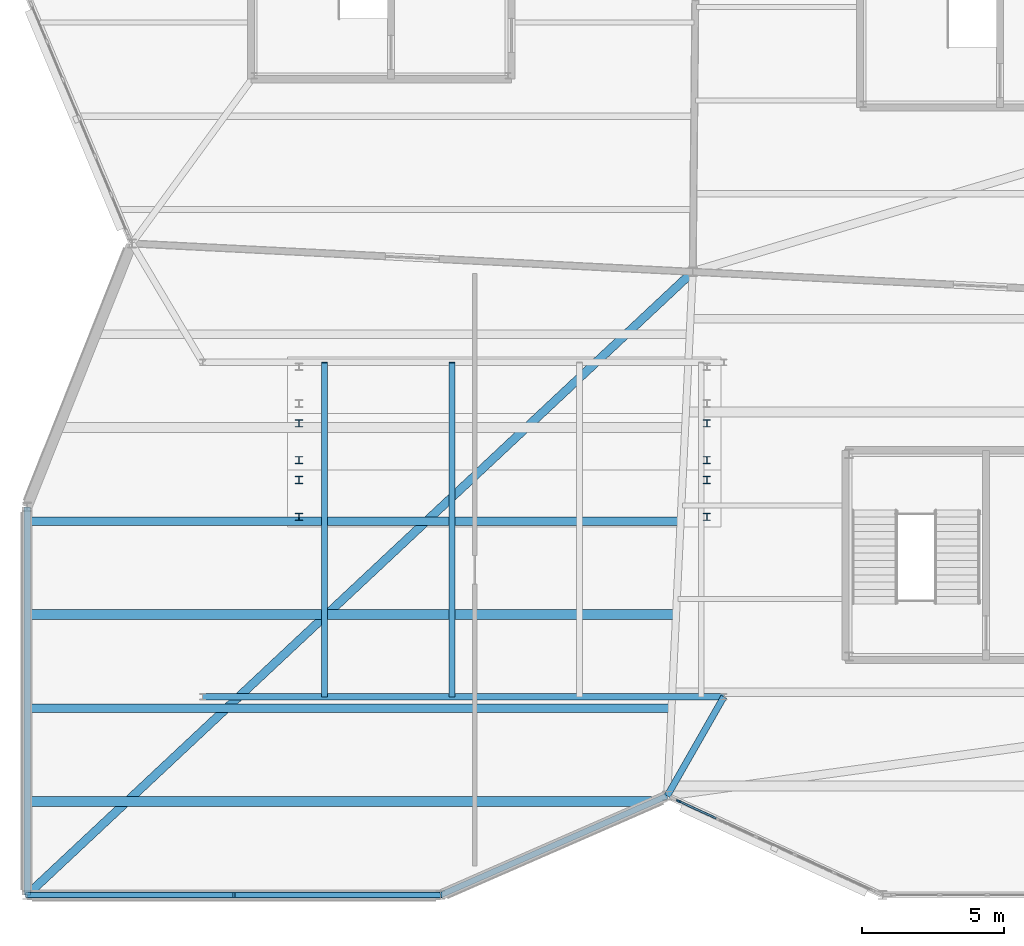
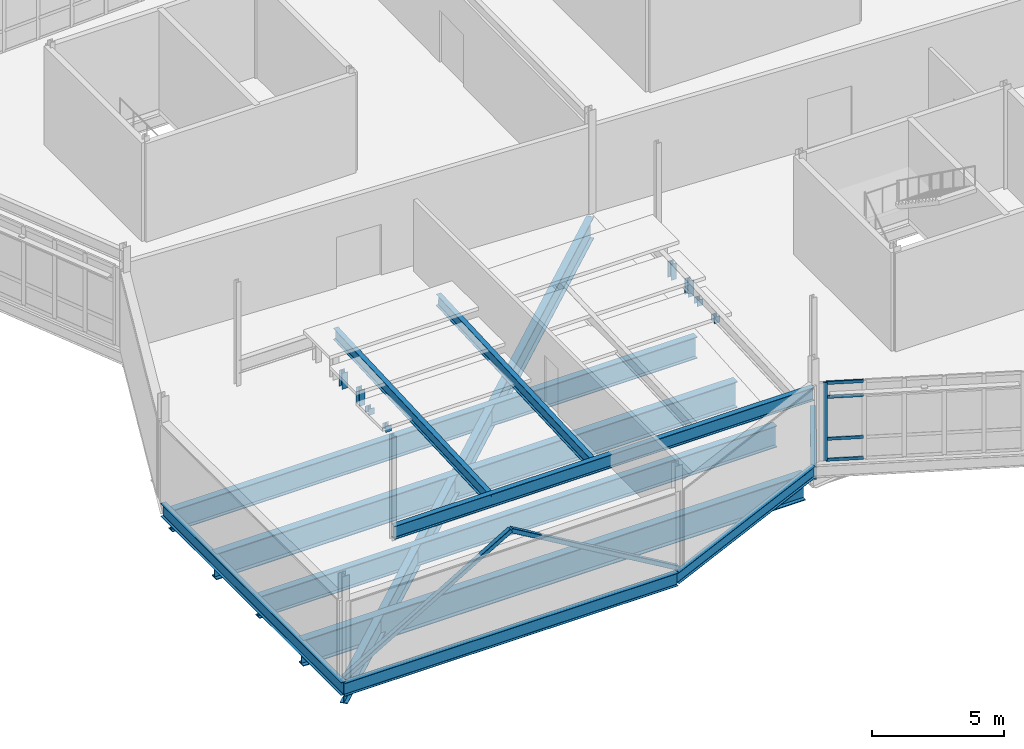
# One storey, part 24 of 134: 12 beams, 8 columns, 7 members, 1 element without a shape of its own.
"""IFC4 building model written with IfcOpenShell, lengths in metres."""

import ifcopenshell
import ifcopenshell.guid

model = None  # the IFC model being written
_history = None  # IfcOwnerHistory: only IFC2X3 demands one
_inside = {}  # id of a spatial element -> (the spatial element, [elements in it])
_under = {}  # id of a project, library or spatial element -> (it, [spatial elements below it])
_declared = {}  # id of a project -> (the project, [libraries it declares])
_typed = {}  # id of a type object -> (the type object, [elements of that type])
_made_of = {}  # id of a material, layer set ... -> (it, [elements and type objects made of it])


def new_model(schema):
    """Start an empty IFC model of exactly this schema.

    Asked for "IFC4X3", IfcOpenShell would pick the latest addendum, in which some entities
    have other attributes; the version numbers below select the first issue.
    IFC2X3 requires an IfcOwnerHistory on every rooted entity: one is made here for all.
    """
    global model, _history
    if schema == "IFC4X3":
        model = ifcopenshell.file(schema_version=(4, 3, 0, 0))
    else:
        model = ifcopenshell.file(schema=schema)
    _inside.clear()
    _under.clear()
    _declared.clear()
    _typed.clear()
    _made_of.clear()
    _history = None
    if model.schema == "IFC2X3":
        org = make("IfcOrganization", Name="unknown")
        user = make(
            "IfcPersonAndOrganization",
            ThePerson=make("IfcPerson", FamilyName="unknown"),
            TheOrganization=org,
        )
        app = make(
            "IfcApplication",
            ApplicationDeveloper=org,
            Version="unknown",
            ApplicationFullName="unknown",
            ApplicationIdentifier="unknown",
        )
        _history = make(
            "IfcOwnerHistory",
            OwningUser=user,
            OwningApplication=app,
            ChangeAction="ADDED",
            CreationDate=0,
        )
    return model


def make(cls, **values):
    """One entity of the class cls with the attributes given. An attribute that is None is left unset."""
    return model.create_entity(
        cls, **{name: value for name, value in values.items() if value is not None}
    )


def rooted(cls, **values):
    """An entity with a GlobalId (a new one), such as an element, a storey or a relation."""
    return make(cls, GlobalId=ifcopenshell.guid.new(), OwnerHistory=_history, **values)


def si_unit(unit_type, name, prefix=None):
    """IfcSIUnit, for example si_unit("LENGTHUNIT", "METRE", prefix="MILLI")."""
    return make("IfcSIUnit", UnitType=unit_type, Prefix=prefix, Name=name)


def assignment(units):
    """IfcUnitAssignment: the units of a project."""
    return None if units is None else make("IfcUnitAssignment", Units=units)


def point(xyz):
    """IfcCartesianPoint."""
    return None if xyz is None else make("IfcCartesianPoint", Coordinates=xyz)


def direction(xyz):
    """IfcDirection."""
    return None if xyz is None else make("IfcDirection", DirectionRatios=xyz)


def frame(location, z_axis=None, x_axis=None):
    """IfcAxis2Placement3D, a coordinate frame: its origin and axes. An axis left out is left unset."""
    return make(
        "IfcAxis2Placement3D",
        Location=point(location),
        Axis=direction(z_axis),
        RefDirection=direction(x_axis),
    )


def frame_2d(location, x_axis=None):
    """IfcAxis2Placement2D, a coordinate frame in the plane: its origin and x axis."""
    return make(
        "IfcAxis2Placement2D", Location=point(location), RefDirection=direction(x_axis)
    )


def origin():
    """The frame at (0, 0, 0) with its axes left unset."""
    return frame((0.0, 0.0, 0.0))


def origin_2d():
    """The frame at (0, 0) in the plane with its x axis left unset."""
    return frame_2d((0.0, 0.0))


def place(relative_to, where):
    """IfcLocalPlacement: puts the frame where relative to a parent placement (None: the world)."""
    return make(
        "IfcLocalPlacement", PlacementRelTo=relative_to, RelativePlacement=where
    )


def context(
    kind, dimensions, precision=None, world=None, true_north=None, identifier=None
):
    """IfcGeometricRepresentationContext, for example the 3D "Model" context."""
    return make(
        "IfcGeometricRepresentationContext",
        ContextIdentifier=identifier,
        ContextType=kind,
        CoordinateSpaceDimension=dimensions,
        Precision=precision,
        WorldCoordinateSystem=world,
        TrueNorth=true_north,
    )


def subcontext(parent, identifier, kind, view, scale=None):
    """IfcGeometricRepresentationSubContext, for example "Body" below "Model"."""
    return make(
        "IfcGeometricRepresentationSubContext",
        ContextIdentifier=identifier,
        ContextType=kind,
        ParentContext=parent,
        TargetScale=scale,
        TargetView=view,
    )


def project(units=None, contexts=None):
    """IfcProject with its units and contexts."""
    return rooted(
        "IfcProject",
        Name="project",
        RepresentationContexts=contexts,
        UnitsInContext=assignment(units),
    )


def spatial(cls, under=None, at=None, **own):
    """A site, building, storey or space (cls), placed at a placement, below another one or the project."""
    s = rooted(cls, ObjectPlacement=at, **own)
    if under is not None:
        _under.setdefault(under.id(), (under, []))[1].append(s)
    return s


def profile(cls, at=None, kind="AREA", **sizes):
    """A parametric profile (cls). Its sizes go by their IFC names, for example OverallWidth=200.0."""
    return make(cls, ProfileType=kind, Position=at, **sizes)


def rectangle(**sizes):
    """IfcRectangleProfileDef."""
    return profile("IfcRectangleProfileDef", **sizes)


def hollow_rectangle(**sizes):
    """IfcRectangleHollowProfileDef."""
    return profile("IfcRectangleHollowProfileDef", **sizes)


def i_section(**sizes):
    """IfcIShapeProfileDef."""
    return profile("IfcIShapeProfileDef", **sizes)


def extrude(swept, where, along, depth):
    """IfcExtrudedAreaSolid: the profile swept, set in the frame where, extruded along a direction by depth."""
    return make(
        "IfcExtrudedAreaSolid",
        SweptArea=swept,
        Position=where,
        ExtrudedDirection=direction(along),
        Depth=depth,
    )


def shape(context_of_items, identifier, shape_type, items):
    """IfcShapeRepresentation: the items that make up one representation, for example the "Body"."""
    return make(
        "IfcShapeRepresentation",
        ContextOfItems=context_of_items,
        RepresentationIdentifier=identifier,
        RepresentationType=shape_type,
        Items=items,
    )


def material(Name=None, Category=None):
    """IfcMaterial."""
    return make("IfcMaterial", Name=Name, Category=Category)


def material_profile(
    of_material, cross_section, Name=None, Category=None, Priority=None
):
    """IfcMaterialProfile: a cross section and its material."""
    return make(
        "IfcMaterialProfile",
        Name=Name,
        Material=of_material,
        Profile=cross_section,
        Priority=Priority,
        Category=Category,
    )


def profile_set(profiles, Name=None, composite=None):
    """IfcMaterialProfileSet."""
    return make(
        "IfcMaterialProfileSet",
        Name=Name,
        MaterialProfiles=profiles,
        CompositeProfile=composite,
    )


def made_of(thing, what):
    """Note that an element or type object is made of a material, layer set ...; save() writes the relation."""
    if what is not None:
        _made_of.setdefault(what.id(), (what, []))[1].append(thing)
    return thing


def type_object(cls, material=None, **own):
    """A type object (cls), such as IfcWallType, which elements share."""
    return made_of(rooted(cls, **own), material)


def element(
    cls,
    number,
    at=None,
    inside=None,
    cuts=None,
    type_object=None,
    material=None,
    context=None,
    identifier="Body",
    shape_type=None,
    held_by="IfcProductDefinitionShape",
    body=None,
    shapes=None,
    **own,
):
    """One element of the class cls, such as IfcWall. Its Tag is "e" and its number.

    at: its placement. inside: the storey or other place that contains it. cuts: it is an
    opening in that element (IfcRelVoidsElement). A single representation is given by context,
    identifier, shape_type and body (its items); several are given by shapes. held_by: the class
    of the entity that holds the representations. save() writes the other relations.
    """
    e = rooted(cls, Tag="e%d" % number, ObjectPlacement=at, **own)
    if body is not None:
        shapes = [shape(context, identifier, shape_type, body)]
    if shapes is not None:
        e.Representation = make(held_by, Representations=shapes)
    if inside is not None:
        _inside.setdefault(inside.id(), (inside, []))[1].append(e)
    if cuts is not None:
        rooted(
            "IfcRelVoidsElement", RelatingBuildingElement=cuts, RelatedOpeningElement=e
        )
    if type_object is not None:
        _typed.setdefault(type_object.id(), (type_object, []))[1].append(e)
    return made_of(e, material)


def aggregate(whole, parts):
    """IfcRelAggregates: a whole, such as a stair, and the parts it consists of."""
    return rooted("IfcRelAggregates", RelatingObject=whole, RelatedObjects=parts)


def save(model, path):
    """Write the relations noted so far, then the file.

    IfcRelAggregates (storeys below a building ...), IfcRelContainedInSpatialStructure (elements
    in a storey), IfcRelDefinesByType, IfcRelAssociatesMaterial and IfcRelDeclares: one each for
    every whole, place, type object, material and project.
    """
    for whole, parts in _under.values():
        aggregate(whole, parts)
    for where, things in _inside.values():
        rooted(
            "IfcRelContainedInSpatialStructure",
            RelatedElements=things,
            RelatingStructure=where,
        )
    for kind, things in _typed.values():
        rooted("IfcRelDefinesByType", RelatedObjects=things, RelatingType=kind)
    for what, things in _made_of.values():
        rooted("IfcRelAssociatesMaterial", RelatedObjects=things, RelatingMaterial=what)
    for by, libraries in _declared.values():
        rooted("IfcRelDeclares", RelatingContext=by, RelatedDefinitions=libraries)
    model.write(path)


model = new_model("IFC4")

# Units and contexts
model_context = context("Model", 3, precision=1e-05, world=origin(), true_north=direction((0.0, 1.0)))
body_context = subcontext(model_context, "Body", "Model", "MODEL_VIEW")
ifc_project = project(units=[si_unit("LENGTHUNIT", "METRE"), si_unit("AREAUNIT", "SQUARE_METRE"), si_unit("VOLUMEUNIT", "CUBIC_METRE"), si_unit("PLANEANGLEUNIT", "RADIAN"), si_unit("MASSUNIT", "GRAM", prefix="KILO")], contexts=[model_context])

# Site, building, storey
site_placement = place(None, origin())
site = spatial("IfcSite", under=ifc_project, at=site_placement, CompositionType="ELEMENT")
building_placement = place(site_placement, origin())
building = spatial("IfcBuilding", under=site, at=building_placement, Name="Tameran Prism Museum", CompositionType="ELEMENT")
storey_placement = place(building_placement, frame((0.0, 0.0, 5.39990234375)))
storey = spatial("IfcBuildingStorey", under=building, at=storey_placement, Name="L01", CompositionType="ELEMENT", Elevation=5.39990234375)

# Columns
ifc_material_1 = material(Name="Steel Grade 300PLUS (300 MPa)", Category="steel")
ifc_material_profile_1 = material_profile(ifc_material_1, i_section(OverallWidth=0.25390625, OverallDepth=0.25390625, WebThickness=0.008544921875, FlangeThickness=0.01416015625, FilletRadius=0.0126953125, at=origin_2d()))
ifc_profile_set_1 = profile_set([ifc_material_profile_1])
column_type = type_object("IfcColumnType", Name="COL-UC250B", PredefinedType="COLUMN", material=ifc_profile_set_1)
for number, where, z_axis, x_axis, name in (
    (1, (9.60009765625, 13.35009765625, 0.0), (0.0, 0.0, 1.0), (1.0, 0.0, 0.0), "Balcony Tier Riser Column CAB-L1-25"),
    (2, (9.60009765625, 14.64990234375, 0.0), (0.0, 0.0, 1.0), (1.0, 0.0, 0.0), "Balcony Tier Riser Column CAB-L1-26"),
    (3, (24.0, 13.35009765625, 0.0), (0.0, 0.0, 1.0), (1.0, 0.0, 0.0), "Balcony Tier Riser Column CAB-L1-27"),
    (4, (24.0, 14.64990234375, 0.0), (0.0, 0.0, 1.0), (1.0, 0.0, 0.0), "Balcony Tier Riser Column CAB-L1-28"),
):
    element("IfcColumn", number, at=place(storey_placement, frame(where, z_axis=z_axis, x_axis=x_axis)), inside=storey, type_object=column_type, Name=name, PredefinedType="COLUMN", context=body_context, shape_type="SweptSolid", body=[
        extrude(i_section(OverallWidth=0.25390625, OverallDepth=0.25390625, WebThickness=0.008544921875, FlangeThickness=0.01416015625, FilletRadius=0.0126953125, at=origin_2d()), origin(), (0.0, 0.0, 1.0), 0.295166015625),
    ])
for number, where, z_axis, x_axis, name in (
    (5, (9.60009765625, 15.35009765625, 0.0), (0.0, 0.0, 1.0), (1.0, 0.0, 0.0), "Balcony Tier Riser Column CAB-L1-29"),
    (6, (9.60009765625, 16.64990234375, 0.0), (0.0, 0.0, 1.0), (1.0, 0.0, 0.0), "Balcony Tier Riser Column CAB-L1-30"),
    (7, (24.0, 15.35009765625, 0.0), (0.0, 0.0, 1.0), (1.0, 0.0, 0.0), "Balcony Tier Riser Column CAB-L1-31"),
    (8, (24.0, 16.64990234375, 0.0), (0.0, 0.0, 1.0), (1.0, 0.0, 0.0), "Balcony Tier Riser Column CAB-L1-32"),
):
    element("IfcColumn", number, at=place(storey_placement, frame(where, z_axis=z_axis, x_axis=x_axis)), inside=storey, type_object=column_type, Name=name, PredefinedType="COLUMN", context=body_context, shape_type="SweptSolid", body=[
        extrude(i_section(OverallWidth=0.25390625, OverallDepth=0.25390625, WebThickness=0.008544921875, FlangeThickness=0.01416015625, FilletRadius=0.0126953125, at=origin_2d()), origin(), (0.0, 0.0, 1.0), 0.7451171875),
    ])

# Beams
ifc_material_2 = material(Name="Steel Grade 300PLUS (300 MPa)", Category="steel")
ifc_material_profile_2 = material_profile(ifc_material_2, i_section(OverallWidth=0.208984375, OverallDepth=0.532958984375, WebThickness=0.01025390625, FlangeThickness=0.015625, FilletRadius=0.013916015625, at=origin_2d()))
ifc_profile_set_2 = profile_set([ifc_material_profile_2])
beam_type_1 = type_object("IfcBeamType", Name="BM-RAK530", PredefinedType="USERDEFINED", material=ifc_profile_set_2)
for number, where, z_axis, x_axis, name in (
    (9, (10.5, 7.0, 0.340087890625), (0.0, 0.998954386522, 0.045717979496), (-1.0, 0.0, 0.0), "Auditorium Raker Beam RK-1448"),
    (10, (15.0, 7.0, 0.340087890625), (0.0, 0.998954386522, 0.045717979496), (-1.0, 0.0, 0.0), "Auditorium Raker Beam RK-1449"),
):
    element("IfcBeam", number, at=place(storey_placement, frame(where, z_axis=z_axis, x_axis=x_axis)), inside=storey, type_object=beam_type_1, Name=name, ObjectType="RAKER", PredefinedType="USERDEFINED", context=body_context, shape_type="SweptSolid", body=[
        extrude(i_section(OverallWidth=0.208984375, OverallDepth=0.532958984375, WebThickness=0.01025390625, FlangeThickness=0.015625, FilletRadius=0.013916015625, at=origin_2d()), origin(), (0.0, 0.0, 1.0), 11.8125),
    ])
ifc_material_3 = material(Name="Steel Grade 300PLUS (300 MPa)", Category="steel")
ifc_material_profile_3 = material_profile(ifc_material_3, i_section(OverallWidth=0.208984375, OverallDepth=0.532958984375, WebThickness=0.01025390625, FlangeThickness=0.015625, FilletRadius=0.013916015625, at=origin_2d()))
ifc_profile_set_3 = profile_set([ifc_material_profile_3])
beam_type_2 = type_object("IfcBeamType", Name="BM-SP530A", PredefinedType="SPANDREL", material=ifc_profile_set_3)
beam_1_placement = place(storey_placement, frame((14.60009765625, 0.0, -0.46630859375), z_axis=(0.916157334902, 0.40081883402, 0.0), x_axis=(-0.40081883402, 0.916157334902, 0.0)))
element("IfcBeam", 11, at=beam_1_placement, inside=storey, type_object=beam_type_2, Name="Perimeter Spandrel SP-0388", PredefinedType="SPANDREL", context=body_context, shape_type="SweptSolid", body=[
    extrude(i_section(OverallWidth=0.208984375, OverallDepth=0.532958984375, WebThickness=0.01025390625, FlangeThickness=0.015625, FilletRadius=0.013916015625, at=origin_2d()), origin(), (0.0, 0.0, 1.0), 8.732177734375),
])
ifc_material_4 = material(Name="Steel Grade 300PLUS (300 MPa)", Category="steel")
ifc_material_profile_4 = material_profile(ifc_material_4, i_section(OverallWidth=0.22802734375, OverallDepth=0.60205078125, WebThickness=0.010498046875, FlangeThickness=0.014892578125, FilletRadius=0.013916015625, at=origin_2d()))
ifc_profile_set_4 = profile_set([ifc_material_profile_4])
beam_type_3 = type_object("IfcBeamType", Name="BM-SP610", PredefinedType="SPANDREL", material=ifc_profile_set_4)
beam_2_placement = place(storey_placement, frame((0.0, 13.699951171875, -0.5009765625), z_axis=(0.0, -1.0, 0.0), x_axis=(1.0, 0.0, 0.0)))
element("IfcBeam", 12, at=beam_2_placement, inside=storey, type_object=beam_type_3, Name="Perimeter Spandrel SP-0386", PredefinedType="SPANDREL", context=body_context, shape_type="SweptSolid", body=[
    extrude(i_section(OverallWidth=0.22802734375, OverallDepth=0.60205078125, WebThickness=0.010498046875, FlangeThickness=0.014892578125, FilletRadius=0.013916015625, at=origin_2d()), origin(), (0.0, 0.0, 1.0), 13.699951171875),
])
beam_3_placement = place(storey_placement, frame((0.0, 0.0, -0.5009765625), z_axis=(1.0, 0.0, 0.0), x_axis=(0.0, 1.0, 0.0)))
element("IfcBeam", 13, at=beam_3_placement, inside=storey, type_object=beam_type_3, Name="Perimeter Spandrel SP-0387", PredefinedType="SPANDREL", context=body_context, shape_type="SweptSolid", body=[
    extrude(i_section(OverallWidth=0.22802734375, OverallDepth=0.60205078125, WebThickness=0.010498046875, FlangeThickness=0.014892578125, FilletRadius=0.013916015625, at=origin_2d()), origin(), (0.0, 0.0, 1.0), 14.60009765625),
])
ifc_material_5 = material(Name="Steel Grade 300PLUS (300 MPa)", Category="steel")
ifc_material_profile_5 = material_profile(ifc_material_5, i_section(OverallWidth=0.22900390625, OverallDepth=0.612060546875, WebThickness=0.011962890625, FlangeThickness=0.01953125, FilletRadius=0.013916015625, at=origin_2d()))
ifc_profile_set_5 = profile_set([ifc_material_profile_5])
beam_type_4 = type_object("IfcBeamType", Name="BM-UB610A", PredefinedType="BEAM", material=ifc_profile_set_5)
beam_4_placement = place(storey_placement, frame((24.60009765625, 7.0, -0.559814453125), z_axis=(-0.496138938357, -0.868243142124, 0.0), x_axis=(0.868243142124, -0.496138938357, 0.0)))
element("IfcBeam", 14, at=beam_4_placement, inside=storey, type_object=beam_type_4, Name="Frame Tie Girder FG-1437", PredefinedType="BEAM", context=body_context, shape_type="SweptSolid", body=[
    extrude(i_section(OverallWidth=0.22900390625, OverallDepth=0.612060546875, WebThickness=0.011962890625, FlangeThickness=0.01953125, FilletRadius=0.013916015625, at=origin_2d()), origin(), (0.0, 0.0, 1.0), 4.03125),
])
beam_5_placement = place(storey_placement, frame((6.199951171875, 7.0, 0.340087890625), z_axis=(1.0, 0.0, 0.0), x_axis=(0.0, 1.0, 0.0)))
element("IfcBeam", 15, at=beam_5_placement, inside=storey, type_object=beam_type_4, Name="Auditorium Raker Front Girder RKH-1446", PredefinedType="BEAM", context=body_context, shape_type="SweptSolid", body=[
    extrude(i_section(OverallWidth=0.22900390625, OverallDepth=0.612060546875, WebThickness=0.011962890625, FlangeThickness=0.01953125, FilletRadius=0.013916015625, at=origin_2d()), origin(), (0.0, 0.0, 1.0), 18.400146484375),
])
ifc_material_6 = material(Name="Steel Grade 350 (350 MPa)", Category="steel")
ifc_material_profile_6 = material_profile(ifc_material_6, i_section(OverallWidth=0.300048828125, OverallDepth=1.0, WebThickness=0.01611328125, FlangeThickness=0.031982421875, at=origin_2d()))
ifc_profile_set_6 = profile_set([ifc_material_profile_6])
beam_type_5 = type_object("IfcBeamType", Name="BM-WB1000", PredefinedType="BEAM", material=ifc_profile_set_6)
beam_6_placement = place(storey_placement, frame((23.5, 22.0, -0.699951171875), z_axis=(-0.730021398632, -0.683424288081, 0.0), x_axis=(0.683424288081, -0.730021398632, 0.0)))
element("IfcBeam", 16, at=beam_6_placement, inside=storey, type_object=beam_type_5, Name="Primary Vertex Girder PG-0390", PredefinedType="BEAM", context=body_context, shape_type="SweptSolid", body=[
    extrude(i_section(OverallWidth=0.300048828125, OverallDepth=1.0, WebThickness=0.01611328125, FlangeThickness=0.031982421875, at=origin_2d()), origin(), (0.0, 0.0, 1.0), 32.19091796875),
])
beam_7_placement = place(storey_placement, frame((0.0400390625, 6.60009765625, -0.699951171875), z_axis=(1.0, 0.0, 0.0), x_axis=(0.0, 1.0, 0.0)))
element("IfcBeam", 17, at=beam_7_placement, inside=storey, type_object=beam_type_5, Name="Floor Beam BM-0584", PredefinedType="BEAM", context=body_context, shape_type="SweptSolid", body=[
    extrude(i_section(OverallWidth=0.300048828125, OverallDepth=1.0, WebThickness=0.01611328125, FlangeThickness=0.031982421875, at=origin_2d()), origin(), (0.0, 0.0, 1.0), 22.6708984375),
])
beam_8_placement = place(storey_placement, frame((0.0400390625, 13.199951171875, -0.699951171875), z_axis=(1.0, 0.0, 0.0), x_axis=(0.0, 1.0, 0.0)))
element("IfcBeam", 18, at=beam_8_placement, inside=storey, type_object=beam_type_5, Name="Floor Beam BM-0586", PredefinedType="BEAM", context=body_context, shape_type="SweptSolid", body=[
    extrude(i_section(OverallWidth=0.300048828125, OverallDepth=1.0, WebThickness=0.01611328125, FlangeThickness=0.031982421875, at=origin_2d()), origin(), (0.0, 0.0, 1.0), 22.991943359375),
])
ifc_material_7 = material(Name="Steel Grade 350 (350 MPa)", Category="steel")
ifc_material_profile_7 = material_profile(ifc_material_7, i_section(OverallWidth=0.35009765625, OverallDepth=1.199951171875, WebThickness=0.01611328125, FlangeThickness=0.035888671875, at=origin_2d()))
ifc_profile_set_7 = profile_set([ifc_material_profile_7])
beam_type_6 = type_object("IfcBeamType", Name="BM-WB1200", PredefinedType="BEAM", material=ifc_profile_set_7)
beam_9_placement = place(storey_placement, frame((0.0400390625, 3.300048828125, -0.7998046875), z_axis=(1.0, 0.0, 0.0), x_axis=(0.0, 1.0, 0.0)))
element("IfcBeam", 19, at=beam_9_placement, inside=storey, type_object=beam_type_6, Name="Floor Beam BM-0583", PredefinedType="BEAM", context=body_context, shape_type="SweptSolid", body=[
    extrude(i_section(OverallWidth=0.35009765625, OverallDepth=1.199951171875, WebThickness=0.01611328125, FlangeThickness=0.035888671875, at=origin_2d()), origin(), (0.0, 0.0, 1.0), 22.0029296875),
])
beam_10_placement = place(storey_placement, frame((0.0400390625, 9.89990234375, -0.7998046875), z_axis=(1.0, 0.0, 0.0), x_axis=(0.0, 1.0, 0.0)))
element("IfcBeam", 20, at=beam_10_placement, inside=storey, type_object=beam_type_6, Name="Floor Beam BM-0585", PredefinedType="BEAM", context=body_context, shape_type="SweptSolid", body=[
    extrude(i_section(OverallWidth=0.35009765625, OverallDepth=1.199951171875, WebThickness=0.01611328125, FlangeThickness=0.035888671875, at=origin_2d()), origin(), (0.0, 0.0, 1.0), 22.8310546875),
])

# Curtain wall, members
ifc_material_8 = material(Name="Anodised Aluminium 6063-T6 and Cyclone Solar Glass", Category="aluminium")
curtain_wall_type = type_object("IfcCurtainWallType", Name="CW-FAC-761x362", PredefinedType="USERDEFINED", material=ifc_material_8)
curtain_wall_placement = place(storey_placement, origin())
curtain_wall = element("IfcCurtainWall", 21, at=curtain_wall_placement, inside=storey, type_object=curtain_wall_type, Name="Unitised Curtain Wall CW-083", ObjectType="UNITISED CURTAIN WALL", PredefinedType="USERDEFINED")
ifc_material_9 = material(Name="Anodised Aluminium Alloy 6063-T6", Category="aluminium")
ifc_material_profile_8 = material_profile(ifc_material_9, rectangle(XDim=0.06494140625, YDim=0.159912109375, at=origin_2d()))
ifc_profile_set_8 = profile_set([ifc_material_profile_8])
member_type_1 = type_object("IfcMemberType", Name="CW-MUL-A", PredefinedType="MULLION", material=ifc_profile_set_8)
member_1_placement = place(storey_placement, frame((23.00146484375, 3.3154296875, 0.0), z_axis=(0.0, 0.0, 1.0), x_axis=(-0.418382893697, -0.908270749425, 0.0)))
member_1 = element("IfcMember", 22, at=member_1_placement, type_object=member_type_1, Name="CW-083 mullion 6", PredefinedType="MULLION", context=body_context, shape_type="SweptSolid", body=[
    extrude(rectangle(XDim=0.06494140625, YDim=0.159912109375, at=origin_2d()), origin(), (0.0, 0.0, 1.0), 3.6201171875),
])
ifc_material_10 = material(Name="Anodised Aluminium Alloy 6063-T6", Category="aluminium")
ifc_material_profile_9 = material_profile(ifc_material_10, rectangle(XDim=0.06494140625, YDim=0.139892578125, at=origin_2d()))
ifc_profile_set_9 = profile_set([ifc_material_profile_9])
member_type_2 = type_object("IfcMemberType", Name="CW-TRN-A", PredefinedType="USERDEFINED", material=ifc_profile_set_9)
member_2_placement = place(storey_placement, frame((24.324462890625, 2.7060546875, 0.03271484375), z_axis=(-0.908300295135, 0.418318746721, 0.0), x_axis=(-0.418318746721, -0.908300295135, 0.0)))
member_2 = element("IfcMember", 23, at=member_2_placement, type_object=member_type_2, Name="CW-083 transom 5.1", ObjectType="TRANSOM", PredefinedType="USERDEFINED", context=body_context, shape_type="SweptSolid", body=[
    extrude(rectangle(XDim=0.06494140625, YDim=0.139892578125, at=origin_2d()), origin(), (0.0, 0.0, 1.0), 1.424072265625),
])
member_3_placement = place(storey_placement, frame((24.324462890625, 2.7060546875, 1.0), z_axis=(-0.908300295135, 0.418318746721, 0.0), x_axis=(-0.418318746721, -0.908300295135, 0.0)))
member_3 = element("IfcMember", 24, at=member_3_placement, type_object=member_type_2, Name="CW-083 transom 5.2", ObjectType="TRANSOM", PredefinedType="USERDEFINED", context=body_context, shape_type="SweptSolid", body=[
    extrude(rectangle(XDim=0.06494140625, YDim=0.139892578125, at=origin_2d()), origin(), (0.0, 0.0, 1.0), 1.424072265625),
])
member_4_placement = place(storey_placement, frame((24.324462890625, 2.7060546875, 2.940185546875), z_axis=(-0.908300295135, 0.418318746721, 0.0), x_axis=(-0.418318746721, -0.908300295135, 0.0)))
member_4 = element("IfcMember", 25, at=member_4_placement, type_object=member_type_2, Name="CW-083 transom 5.3", ObjectType="TRANSOM", PredefinedType="USERDEFINED", context=body_context, shape_type="SweptSolid", body=[
    extrude(rectangle(XDim=0.06494140625, YDim=0.139892578125, at=origin_2d()), origin(), (0.0, 0.0, 1.0), 1.424072265625),
])
member_5_placement = place(storey_placement, frame((24.324462890625, 2.7060546875, 3.587646484375), z_axis=(-0.908300295135, 0.418318746721, 0.0), x_axis=(-0.418318746721, -0.908300295135, 0.0)))
member_5 = element("IfcMember", 26, at=member_5_placement, type_object=member_type_2, Name="CW-083 transom 5.4", ObjectType="TRANSOM", PredefinedType="USERDEFINED", context=body_context, shape_type="SweptSolid", body=[
    extrude(rectangle(XDim=0.06494140625, YDim=0.139892578125, at=origin_2d()), origin(), (0.0, 0.0, 1.0), 1.424072265625),
])
aggregate(curtain_wall, [member_1, member_2, member_3, member_4, member_5])

# Members
ifc_material_11 = material(Name="Steel Grade C350L0 (350 MPa)", Category="steel")
ifc_material_profile_10 = material_profile(ifc_material_11, hollow_rectangle(XDim=0.199951171875, YDim=0.199951171875, WallThickness=0.009033203125, InnerFilletRadius=0.013427734375, OuterFilletRadius=0.0224609375, at=origin_2d()))
ifc_profile_set_10 = profile_set([ifc_material_profile_10])
member_type_3 = type_object("IfcMemberType", Name="MM-BR-SHS200", PredefinedType="BRACE", material=ifc_profile_set_10)
for number, where, z_axis, x_axis, name in (
    (27, (0.0, 0.0, 0.0), (0.861629601949, 0.0, 0.507537613429), (0.0, 1.0, 0.0), "Lateral Chevron Brace CBF-003"),
    (28, (14.60009765625, 0.0, 0.0), (-0.861629601949, 0.0, 0.507537613429), (0.0, -1.0, 0.0), "Lateral Chevron Brace CBF-004"),
):
    element("IfcMember", number, at=place(storey_placement, frame(where, z_axis=z_axis, x_axis=x_axis)), inside=storey, type_object=member_type_3, Name=name, PredefinedType="BRACE", context=body_context, shape_type="SweptSolid", body=[
        extrude(hollow_rectangle(XDim=0.199951171875, YDim=0.199951171875, WallThickness=0.009033203125, InnerFilletRadius=0.013427734375, OuterFilletRadius=0.0224609375, at=origin_2d()), origin(), (0.0, 0.0, 1.0), 8.472412109375),
    ])

save(model, "model.ifc")
